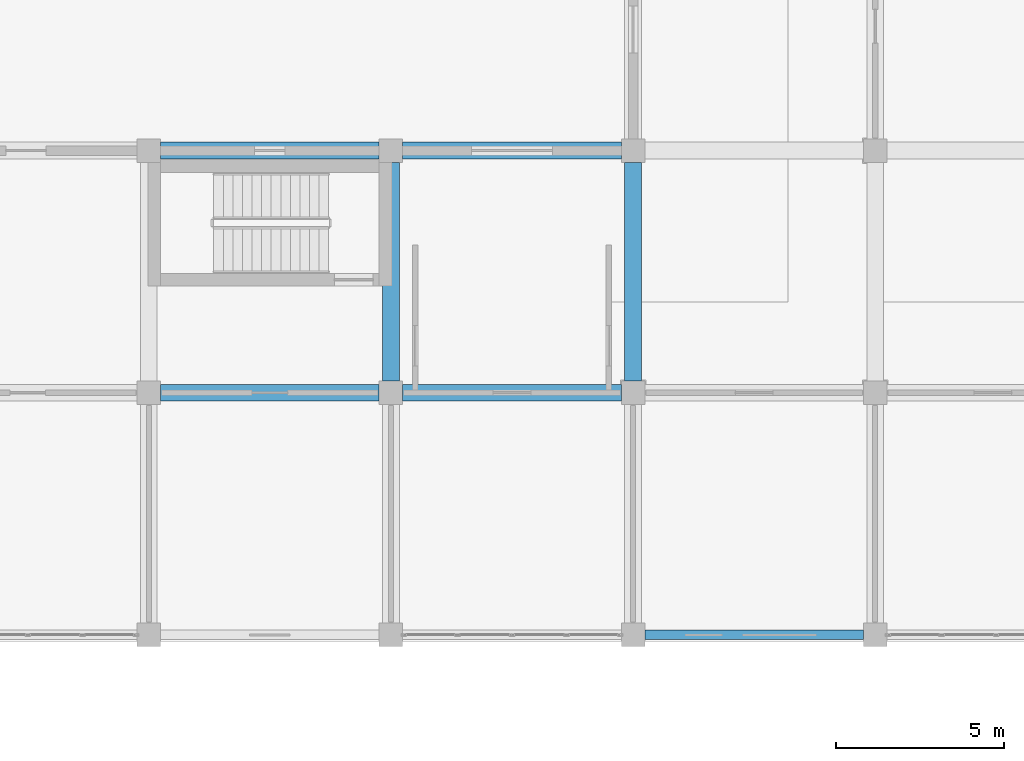
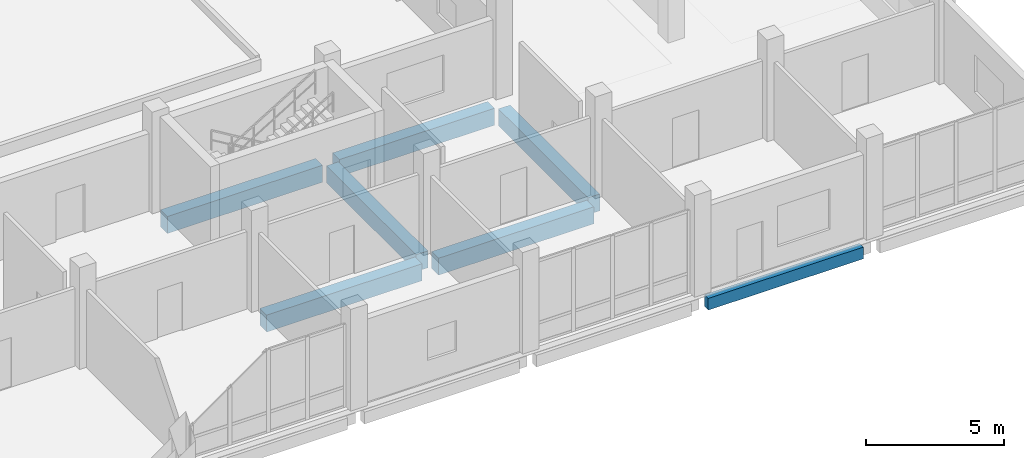
# One storey, part 74 of 139: 7 beams.
"""IFC4 building model written with IfcOpenShell, lengths in metres."""

from ifc_helpers import new_model, si_unit, direction, frame, origin, origin_2d, place, context, subcontext, project, spatial, rectangle, extrude, material, material_profile, profile_set, type_object, element, save


model = new_model("IFC4")

# Units and contexts
model_context = context("Model", 3, precision=1e-05, world=origin(), true_north=direction((0.0, 1.0)))
body_context = subcontext(model_context, "Body", "Model", "MODEL_VIEW")
ifc_project = project(units=[si_unit("LENGTHUNIT", "METRE"), si_unit("AREAUNIT", "SQUARE_METRE"), si_unit("VOLUMEUNIT", "CUBIC_METRE"), si_unit("PLANEANGLEUNIT", "RADIAN"), si_unit("MASSUNIT", "GRAM", prefix="KILO")], contexts=[model_context])

# Site, building, storey
site_placement = place(None, origin())
site = spatial("IfcSite", under=ifc_project, at=site_placement, CompositionType="ELEMENT")
building_placement = place(site_placement, origin())
building = spatial("IfcBuilding", under=site, at=building_placement, Name="Suanplinth Sawtooth Commons", CompositionType="ELEMENT")
storey_placement = place(building_placement, origin())
storey = spatial("IfcBuildingStorey", under=building, at=storey_placement, Name="L00", CompositionType="ELEMENT", Elevation=0.0)

# Beams
ifc_material_1 = material(Name="Concrete C40/50", Category="concrete")
ifc_material_profile_1 = material_profile(ifc_material_1, rectangle(XDim=0.5, YDim=0.75, at=origin_2d()), Name="RC-GDR 500x750")
ifc_profile_set_1 = profile_set([ifc_material_profile_1], Name="Concrete C40/50")
beam_type_1 = type_object("IfcBeamType", Name="B-03", PredefinedType="USERDEFINED", material=ifc_profile_set_1)
for number, where, z_axis, x_axis, name in (
    (1, (158.75, 7.199951171875, -0.794921875), (1.0, 0.0, 0.0), (0.0, 1.0, 0.0), "BMX-L00-C-22-1"),
    (2, (158.75, 14.39990234375, -0.794921875), (1.0, 0.0, 0.0), (0.0, 1.0, 0.0), "BMX-L00-C-22-2"),
    (3, (165.949951171875, 7.199951171875, -0.794921875), (1.0, 0.0, 0.0), (0.0, 1.0, 0.0), "BMX-L00-C-23-1"),
    (4, (165.949951171875, 14.39990234375, -0.794921875), (1.0, 0.0, 0.0), (0.0, 1.0, 0.0), "BMX-L00-C-23-2"),
    (5, (165.60009765625, 7.550048828125, -0.794921875), (0.0, 1.0, 0.0), (-1.0, 0.0, 0.0), "BMY-L00-C-23-1"),
    (6, (172.800048828125, 7.550048828125, -0.794921875), (0.0, 1.0, 0.0), (-1.0, 0.0, 0.0), "BMY-L00-C-24-1"),
):
    element("IfcBeam", number, at=place(storey_placement, frame(where, z_axis=z_axis, x_axis=x_axis)), inside=storey, type_object=beam_type_1, Name=name, ObjectType="GIRDER", PredefinedType="USERDEFINED", context=body_context, shape_type="SweptSolid", body=[
        extrude(rectangle(XDim=0.5, YDim=0.75, at=origin_2d()), origin(), (0.0, 0.0, 1.0), 6.5),
    ])
ifc_material_2 = material(Name="Precast concrete C40/50", Category="concrete")
ifc_material_profile_2 = material_profile(ifc_material_2, rectangle(XDim=0.280029296875, YDim=0.52001953125, at=origin_2d()), Name="PC-SP 280x520")
ifc_profile_set_2 = profile_set([ifc_material_profile_2], Name="Precast concrete C40/50")
beam_type_2 = type_object("IfcBeamType", Name="B-08", PredefinedType="SPANDREL", material=ifc_profile_set_2)
beam_placement = place(storey_placement, frame((173.14990234375, 0.0, -0.679931640625), z_axis=(1.0, 0.0, 0.0), x_axis=(0.0, 1.0, 0.0)))
element("IfcBeam", 7, at=beam_placement, inside=storey, type_object=beam_type_2, Name="BMX-L00-C-24-0", PredefinedType="SPANDREL", context=body_context, shape_type="SweptSolid", body=[
    extrude(rectangle(XDim=0.280029296875, YDim=0.52001953125, at=origin_2d()), origin(), (0.0, 0.0, 1.0), 6.5),
])

save(model, "model.ifc")
